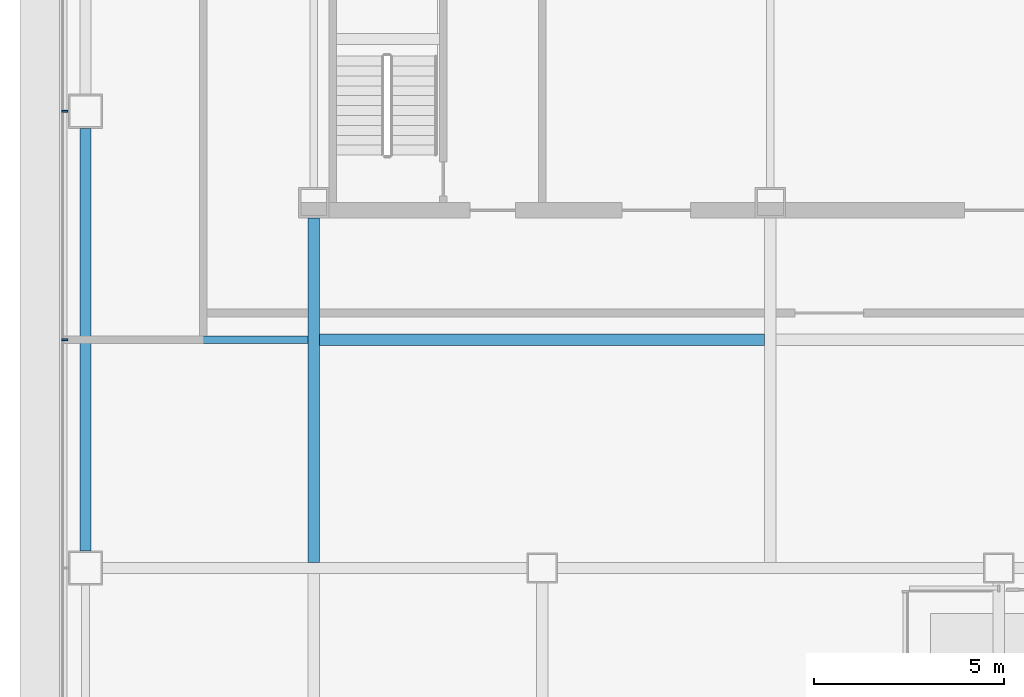
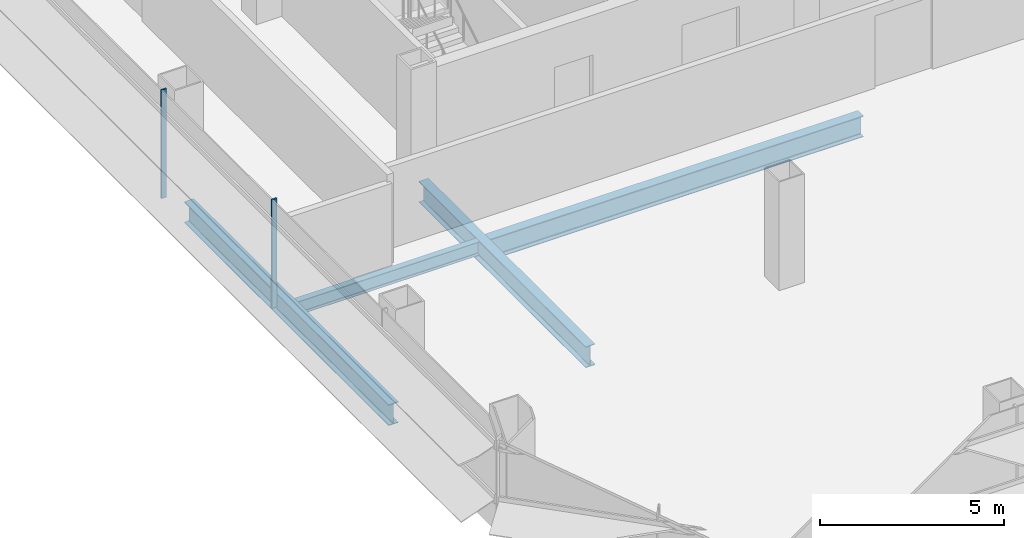
# One storey, part 4 of 27: 4 beams, 2 members, 1 element without a shape of its own.
"""IFC4 building model written with IfcOpenShell, lengths in metres."""

from ifc_helpers import new_model, si_unit, direction, frame, origin, origin_2d, place, context, subcontext, project, spatial, rectangle, i_section, extrude, material, material_profile, profile_set, type_object, element, aggregate, save


model = new_model("IFC4")

# Units and contexts
model_context = context("Model", 3, precision=1e-05, world=origin(), true_north=direction((0.0, 1.0)))
body_context = subcontext(model_context, "Body", "Model", "MODEL_VIEW")
ifc_project = project(units=[si_unit("LENGTHUNIT", "METRE"), si_unit("AREAUNIT", "SQUARE_METRE"), si_unit("VOLUMEUNIT", "CUBIC_METRE"), si_unit("PLANEANGLEUNIT", "RADIAN"), si_unit("MASSUNIT", "GRAM", prefix="KILO")], contexts=[model_context])

# Site, building, storey
site_placement = place(None, origin())
site = spatial("IfcSite", under=ifc_project, at=site_placement, CompositionType="ELEMENT")
building_placement = place(site_placement, origin())
building = spatial("IfcBuilding", under=site, at=building_placement, Name="Sorahane Residences", CompositionType="ELEMENT")
storey_placement = place(building_placement, frame((0.0, 0.0, 82.199951171875)))
storey = spatial("IfcBuildingStorey", under=building, at=storey_placement, Name="L17", CompositionType="ELEMENT", Elevation=82.199951171875)

# Curtain wall, members
ifc_material_1 = material(Name="Dark low-e glass and black anodised aluminium", Category="aluminium")
curtain_wall_type = type_object("IfcCurtainWallType", Name="Curtain wall CW-1 Typical unitised wall", PredefinedType="NOTDEFINED", material=ifc_material_1)
curtain_wall_placement = place(storey_placement, origin())
curtain_wall = element("IfcCurtainWall", 1, at=curtain_wall_placement, inside=storey, type_object=curtain_wall_type, Name="CW-1 curtain wall L17 W2", PredefinedType="NOTDEFINED")
ifc_material_2 = material(Name="Black anodised aluminium", Category="aluminium")
ifc_material_profile_1 = material_profile(ifc_material_2, rectangle(XDim=0.159912109375, YDim=0.050048828125, at=origin_2d()), Name="Curtain wall mullion CW-1 black anodised aluminium 50x160")
ifc_profile_set_1 = profile_set([ifc_material_profile_1], Name="Black anodised aluminium")
member_type = type_object("IfcMemberType", Name="Curtain wall mullion CW-1 black anodised aluminium 50x160", PredefinedType="MULLION", material=ifc_profile_set_1)
member_1_placement = place(storey_placement, frame((-0.5400390625, 24.0, -0.179931640625), z_axis=(0.0, 0.0, 1.0), x_axis=(-1.0, 0.0, 0.0)))
member_1 = element("IfcMember", 2, at=member_1_placement, type_object=member_type, Name="CW-1 mullion L17 W2.4", PredefinedType="MULLION", context=body_context, shape_type="SweptSolid", body=[
    extrude(rectangle(XDim=0.159912109375, YDim=0.050048828125, at=origin_2d()), origin(), (0.0, 0.0, 1.0), 3.60009765625),
])
member_2_placement = place(storey_placement, frame((-0.5400390625, 18.0, -0.179931640625), z_axis=(0.0, 0.0, 1.0), x_axis=(-1.0, 0.0, 0.0)))
member_2 = element("IfcMember", 3, at=member_2_placement, type_object=member_type, Name="CW-1 mullion L17 W2.5", PredefinedType="MULLION", context=body_context, shape_type="SweptSolid", body=[
    extrude(rectangle(XDim=0.159912109375, YDim=0.050048828125, at=origin_2d()), origin(), (0.0, 0.0, 1.0), 3.60009765625),
])
aggregate(curtain_wall, [member_1, member_2])

# Beams
ifc_material_3 = material(Name="Steel Q355B", Category="steel")
ifc_material_profile_2 = material_profile(ifc_material_3, i_section(OverallWidth=0.199951171875, OverallDepth=0.449951171875, WebThickness=0.009033203125, FlangeThickness=0.013916015625, FilletRadius=0.02001953125, at=origin_2d()), Name="HN 450x200x9x14")
ifc_profile_set_2 = profile_set([ifc_material_profile_2], Name="Steel Q355B")
beam_type_1 = type_object("IfcBeamType", Name="Steel floor beam HN 450x200x9x14 Q355B", PredefinedType="BEAM", material=ifc_profile_set_2)
beam_1_placement = place(storey_placement, frame((0.14990234375, 18.0, -0.405029296875), z_axis=(1.0, 0.0, 0.0), x_axis=(0.0, 1.0, 0.0)))
element("IfcBeam", 4, at=beam_1_placement, inside=storey, type_object=beam_type_1, Name="Beam L17 068", PredefinedType="BEAM", context=body_context, shape_type="SweptSolid", body=[
    extrude(i_section(OverallWidth=0.199951171875, OverallDepth=0.449951171875, WebThickness=0.009033203125, FlangeThickness=0.013916015625, FilletRadius=0.02001953125, at=origin_2d()), origin(), (0.0, 0.0, 1.0), 5.7001953125),
])
ifc_material_4 = material(Name="Steel Q355B", Category="steel")
ifc_material_profile_3 = material_profile(ifc_material_4, i_section(OverallWidth=0.300048828125, OverallDepth=0.699951171875, WebThickness=0.012939453125, FlangeThickness=0.02392578125, FilletRadius=0.028076171875, at=origin_2d()), Name="HN 700x300x13x24")
ifc_profile_set_3 = profile_set([ifc_material_profile_3], Name="Steel Q355B")
beam_type_2 = type_object("IfcBeamType", Name="Steel floor beam HN 700x300x13x24 Q355B", PredefinedType="BEAM", material=ifc_profile_set_3)
beam_2_placement = place(storey_placement, frame((0.0, 12.449951171875, -0.530029296875), z_axis=(0.0, 1.0, 0.0), x_axis=(-1.0, 0.0, 0.0)))
element("IfcBeam", 5, at=beam_2_placement, inside=storey, type_object=beam_type_2, Name="Beam L17 018", PredefinedType="BEAM", context=body_context, shape_type="SweptSolid", body=[
    extrude(i_section(OverallWidth=0.300048828125, OverallDepth=0.699951171875, WebThickness=0.012939453125, FlangeThickness=0.02392578125, FilletRadius=0.028076171875, at=origin_2d()), origin(), (0.0, 0.0, 1.0), 11.10009765625),
])
beam_3_placement = place(storey_placement, frame((6.0, 12.14990234375, -0.530029296875), z_axis=(0.0, 1.0, 0.0), x_axis=(-1.0, 0.0, 0.0)))
element("IfcBeam", 6, at=beam_3_placement, inside=storey, type_object=beam_type_2, Name="Beam L17 022", PredefinedType="BEAM", context=body_context, shape_type="SweptSolid", body=[
    extrude(i_section(OverallWidth=0.300048828125, OverallDepth=0.699951171875, WebThickness=0.012939453125, FlangeThickness=0.02392578125, FilletRadius=0.028076171875, at=origin_2d()), origin(), (0.0, 0.0, 1.0), 9.050048828125),
])
beam_4_placement = place(storey_placement, frame((6.14990234375, 18.0, -0.530029296875), z_axis=(1.0, 0.0, 0.0), x_axis=(0.0, 1.0, 0.0)))
element("IfcBeam", 7, at=beam_4_placement, inside=storey, type_object=beam_type_2, Name="Beam L17 069", PredefinedType="BEAM", context=body_context, shape_type="SweptSolid", body=[
    extrude(i_section(OverallWidth=0.300048828125, OverallDepth=0.699951171875, WebThickness=0.012939453125, FlangeThickness=0.02392578125, FilletRadius=0.028076171875, at=origin_2d()), origin(), (0.0, 0.0, 1.0), 11.7001953125),
])

save(model, "model.ifc")
